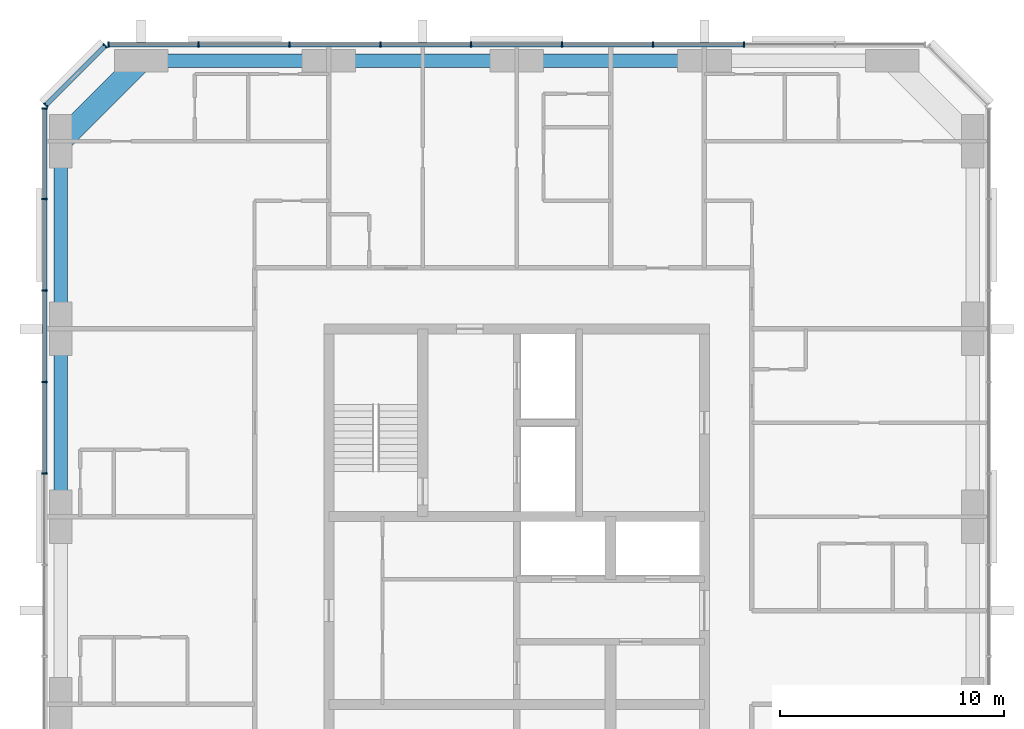
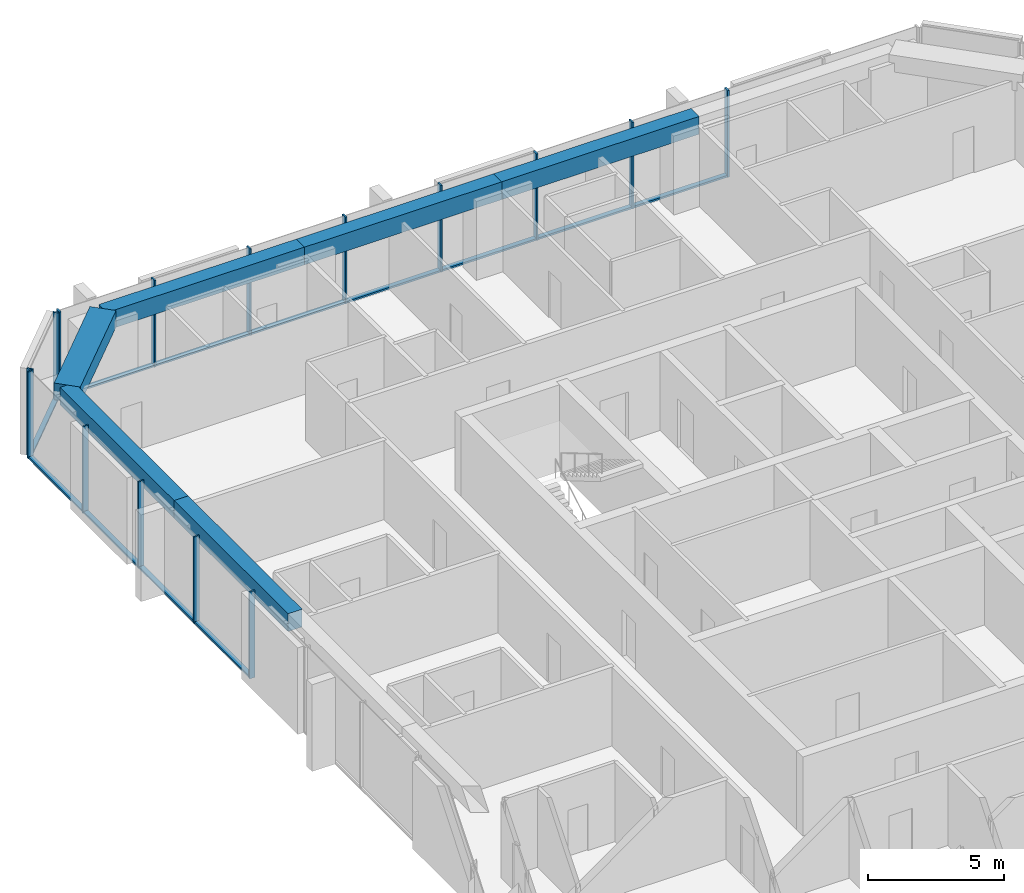
# One storey, part 4 of 12: 27 members, 6 beams, 3 elements without a shape of their own.
"""IFC4 building model written with IfcOpenShell, lengths in metres."""

from ifc_helpers import new_model, si_unit, direction, frame, origin, origin_2d, place, context, subcontext, project, spatial, rectangle, extrude, material, material_profile, profile_set, type_object, element, aggregate, save


model = new_model("IFC4")

# Units and contexts
model_context = context("Model", 3, precision=1e-05, world=origin(), true_north=direction((0.0, 1.0)))
body_context = subcontext(model_context, "Body", "Model", "MODEL_VIEW")
ifc_project = project(units=[si_unit("LENGTHUNIT", "METRE"), si_unit("AREAUNIT", "SQUARE_METRE"), si_unit("VOLUMEUNIT", "CUBIC_METRE"), si_unit("PLANEANGLEUNIT", "RADIAN"), si_unit("MASSUNIT", "GRAM", prefix="KILO")], contexts=[model_context])

# Site, building, storey
site_placement = place(None, origin())
site = spatial("IfcSite", under=ifc_project, at=site_placement, CompositionType="ELEMENT")
building_placement = place(site_placement, origin())
building = spatial("IfcBuilding", under=site, at=building_placement, Name="Dunama Terrace Hotel", CompositionType="ELEMENT")
storey_placement = place(building_placement, frame((0.0, 0.0, 241.199951171875)))
storey = spatial("IfcBuildingStorey", under=building, at=storey_placement, Name="L62", CompositionType="ELEMENT", Elevation=241.199951171875)

# Curtain wall, members
ifc_material_1 = material(Name="Aluminium curtain wall system", Category="aluminium")
curtain_wall_type = type_object("IfcCurtainWallType", Name="Unitised fritted glass wall CW-D", PredefinedType="NOTDEFINED", material=ifc_material_1)
curtain_wall_1_placement = place(storey_placement, origin())
curtain_wall_1 = element("IfcCurtainWall", 1, at=curtain_wall_1_placement, inside=storey, type_object=curtain_wall_type, Name="Unitised fritted glass wall CW-D L62", PredefinedType="NOTDEFINED")
ifc_material_2 = material(Name="Aluminium mullion", Category="aluminium")
ifc_material_profile_1 = material_profile(ifc_material_2, rectangle(XDim=0.070068359375, YDim=0.239990234375, at=origin_2d()), Name="CWD MULLION 70X240")
ifc_profile_set_1 = profile_set([ifc_material_profile_1], Name="Aluminium mullion")
member_type_1 = type_object("IfcMemberType", Name="CWD mullion 70x240", PredefinedType="MULLION", material=ifc_profile_set_1)
member_1_placement = place(storey_placement, frame((43.76708984375, 54.719970703125, 0.0), z_axis=(0.0, 0.0, 1.0), x_axis=(-1.0, 0.0, 0.0)))
member_1 = element("IfcMember", 2, at=member_1_placement, type_object=member_type_1, Name="CWD mullion", PredefinedType="MULLION", context=body_context, shape_type="SweptSolid", body=[
    extrude(rectangle(XDim=0.070068359375, YDim=0.239990234375, at=origin_2d()), origin(), (0.0, 0.0, 1.0), 3.900146484375),
])
member_2_placement = place(storey_placement, frame((39.699951171875, 54.719970703125, 0.0), z_axis=(0.0, 0.0, 1.0), x_axis=(-1.0, 0.0, 0.0)))
member_2 = element("IfcMember", 3, at=member_2_placement, type_object=member_type_1, Name="CWD mullion", PredefinedType="MULLION", context=body_context, shape_type="SweptSolid", body=[
    extrude(rectangle(XDim=0.070068359375, YDim=0.239990234375, at=origin_2d()), origin(), (0.0, 0.0, 1.0), 3.900146484375),
])
member_3_placement = place(storey_placement, frame((35.633056640625, 54.719970703125, 0.0), z_axis=(0.0, 0.0, 1.0), x_axis=(-1.0, 0.0, 0.0)))
member_3 = element("IfcMember", 4, at=member_3_placement, type_object=member_type_1, Name="CWD mullion", PredefinedType="MULLION", context=body_context, shape_type="SweptSolid", body=[
    extrude(rectangle(XDim=0.070068359375, YDim=0.239990234375, at=origin_2d()), origin(), (0.0, 0.0, 1.0), 3.900146484375),
])
member_4_placement = place(storey_placement, frame((31.56689453125, 54.719970703125, 0.0), z_axis=(0.0, 0.0, 1.0), x_axis=(-1.0, 0.0, 0.0)))
member_4 = element("IfcMember", 5, at=member_4_placement, type_object=member_type_1, Name="CWD mullion", PredefinedType="MULLION", context=body_context, shape_type="SweptSolid", body=[
    extrude(rectangle(XDim=0.070068359375, YDim=0.239990234375, at=origin_2d()), origin(), (0.0, 0.0, 1.0), 3.900146484375),
])
member_5_placement = place(storey_placement, frame((27.5, 54.719970703125, 0.0), z_axis=(0.0, 0.0, 1.0), x_axis=(-1.0, 0.0, 0.0)))
member_5 = element("IfcMember", 6, at=member_5_placement, type_object=member_type_1, Name="CWD mullion", PredefinedType="MULLION", context=body_context, shape_type="SweptSolid", body=[
    extrude(rectangle(XDim=0.070068359375, YDim=0.239990234375, at=origin_2d()), origin(), (0.0, 0.0, 1.0), 3.900146484375),
])
member_6_placement = place(storey_placement, frame((23.43310546875, 54.719970703125, 0.0), z_axis=(0.0, 0.0, 1.0), x_axis=(-1.0, 0.0, 0.0)))
member_6 = element("IfcMember", 7, at=member_6_placement, type_object=member_type_1, Name="CWD mullion", PredefinedType="MULLION", context=body_context, shape_type="SweptSolid", body=[
    extrude(rectangle(XDim=0.070068359375, YDim=0.239990234375, at=origin_2d()), origin(), (0.0, 0.0, 1.0), 3.900146484375),
])
member_7_placement = place(storey_placement, frame((19.366943359375, 54.719970703125, 0.0), z_axis=(0.0, 0.0, 1.0), x_axis=(-1.0, 0.0, 0.0)))
member_7 = element("IfcMember", 8, at=member_7_placement, type_object=member_type_1, Name="CWD mullion", PredefinedType="MULLION", context=body_context, shape_type="SweptSolid", body=[
    extrude(rectangle(XDim=0.070068359375, YDim=0.239990234375, at=origin_2d()), origin(), (0.0, 0.0, 1.0), 3.900146484375),
])
member_8_placement = place(storey_placement, frame((15.3349609375, 54.719970703125, 0.0), z_axis=(0.0, 0.0, 1.0), x_axis=(-1.0, 0.0, 0.0)))
member_8 = element("IfcMember", 9, at=member_8_placement, type_object=member_type_1, Name="CWD mullion", PredefinedType="MULLION", context=body_context, shape_type="SweptSolid", body=[
    extrude(rectangle(XDim=0.070068359375, YDim=0.239990234375, at=origin_2d()), origin(), (0.0, 0.0, 1.0), 3.900146484375),
])

curtain_wall_2_placement = place(storey_placement, origin())
curtain_wall_2 = element("IfcCurtainWall", 10, at=curtain_wall_2_placement, inside=storey, type_object=curtain_wall_type, Name="Unitised fritted glass wall CW-D L62", PredefinedType="NOTDEFINED")
member_9_placement = place(storey_placement, frame((15.18994140625, 54.659912109375, 0.0), z_axis=(0.0, 0.0, 1.0), x_axis=(-0.707106781187, -0.707106781187, 0.0)))
member_9 = element("IfcMember", 11, at=member_9_placement, type_object=member_type_1, Name="CWD mullion", PredefinedType="MULLION", context=body_context, shape_type="SweptSolid", body=[
    extrude(rectangle(XDim=0.070068359375, YDim=0.239990234375, at=origin_2d()), origin(), (0.0, 0.0, 1.0), 3.900146484375),
])
member_10_placement = place(storey_placement, frame((12.5400390625, 52.010009765625, 0.0), z_axis=(0.0, 0.0, 1.0), x_axis=(-0.707106781187, -0.707106781187, 0.0)))
member_10 = element("IfcMember", 12, at=member_10_placement, type_object=member_type_1, Name="CWD mullion", PredefinedType="MULLION", context=body_context, shape_type="SweptSolid", body=[
    extrude(rectangle(XDim=0.070068359375, YDim=0.239990234375, at=origin_2d()), origin(), (0.0, 0.0, 1.0), 3.900146484375),
])

curtain_wall_3_placement = place(storey_placement, origin())
curtain_wall_3 = element("IfcCurtainWall", 13, at=curtain_wall_3_placement, inside=storey, type_object=curtain_wall_type, Name="Unitised fritted glass wall CW-D L62", PredefinedType="NOTDEFINED")
member_11_placement = place(storey_placement, frame((12.47998046875, 51.864990234375, 0.0), z_axis=(0.0, 0.0, 1.0), x_axis=(0.0, -1.0, 0.0)))
member_11 = element("IfcMember", 14, at=member_11_placement, type_object=member_type_1, Name="CWD mullion", PredefinedType="MULLION", context=body_context, shape_type="SweptSolid", body=[
    extrude(rectangle(XDim=0.070068359375, YDim=0.239990234375, at=origin_2d()), origin(), (0.0, 0.0, 1.0), 3.900146484375),
])
member_12_placement = place(storey_placement, frame((12.47998046875, 47.80908203125, 0.0), z_axis=(0.0, 0.0, 1.0), x_axis=(0.0, -1.0, 0.0)))
member_12 = element("IfcMember", 15, at=member_12_placement, type_object=member_type_1, Name="CWD mullion", PredefinedType="MULLION", context=body_context, shape_type="SweptSolid", body=[
    extrude(rectangle(XDim=0.070068359375, YDim=0.239990234375, at=origin_2d()), origin(), (0.0, 0.0, 1.0), 3.900146484375),
])
member_13_placement = place(storey_placement, frame((12.47998046875, 43.718017578125, 0.0), z_axis=(0.0, 0.0, 1.0), x_axis=(0.0, -1.0, 0.0)))
member_13 = element("IfcMember", 16, at=member_13_placement, type_object=member_type_1, Name="CWD mullion", PredefinedType="MULLION", context=body_context, shape_type="SweptSolid", body=[
    extrude(rectangle(XDim=0.070068359375, YDim=0.239990234375, at=origin_2d()), origin(), (0.0, 0.0, 1.0), 3.900146484375),
])
member_14_placement = place(storey_placement, frame((12.47998046875, 39.626953125, 0.0), z_axis=(0.0, 0.0, 1.0), x_axis=(0.0, -1.0, 0.0)))
member_14 = element("IfcMember", 17, at=member_14_placement, type_object=member_type_1, Name="CWD mullion", PredefinedType="MULLION", context=body_context, shape_type="SweptSolid", body=[
    extrude(rectangle(XDim=0.070068359375, YDim=0.239990234375, at=origin_2d()), origin(), (0.0, 0.0, 1.0), 3.900146484375),
])
member_15_placement = place(storey_placement, frame((12.47998046875, 35.535888671875, 0.0), z_axis=(0.0, 0.0, 1.0), x_axis=(0.0, -1.0, 0.0)))
member_15 = element("IfcMember", 18, at=member_15_placement, type_object=member_type_1, Name="CWD mullion", PredefinedType="MULLION", context=body_context, shape_type="SweptSolid", body=[
    extrude(rectangle(XDim=0.070068359375, YDim=0.239990234375, at=origin_2d()), origin(), (0.0, 0.0, 1.0), 3.900146484375),
])

# Member
ifc_material_3 = material(Name="Aluminium transom", Category="aluminium")
ifc_material_profile_2 = material_profile(ifc_material_3, rectangle(XDim=0.199951171875, YDim=0.0849609375, at=origin_2d()), Name="CWD TRANSOM 200X85")
ifc_profile_set_2 = profile_set([ifc_material_profile_2], Name="Aluminium transom")
member_type_2 = type_object("IfcMemberType", Name="CWD transom 200x85", PredefinedType="USERDEFINED", material=ifc_profile_set_2)
member_16_placement = place(storey_placement, frame((43.73193359375, 54.719970703125, 0.04248046875), z_axis=(-1.0, 0.0, 0.0), x_axis=(0.0, -1.0, 0.0)))
member_16 = element("IfcMember", 19, at=member_16_placement, type_object=member_type_2, Name="CWD transom", ObjectType="TRANSOM", PredefinedType="USERDEFINED", context=body_context, shape_type="SweptSolid", body=[
    extrude(rectangle(XDim=0.199951171875, YDim=0.0849609375, at=origin_2d()), origin(), (0.0, 0.0, 1.0), 3.996826171875),
])

member_17_placement = place(storey_placement, frame((39.6650390625, 54.719970703125, 0.04248046875), z_axis=(-1.0, 0.0, 0.0), x_axis=(0.0, -1.0, 0.0)))
member_17 = element("IfcMember", 20, at=member_17_placement, type_object=member_type_2, Name="CWD transom", ObjectType="TRANSOM", PredefinedType="USERDEFINED", context=body_context, shape_type="SweptSolid", body=[
    extrude(rectangle(XDim=0.199951171875, YDim=0.0849609375, at=origin_2d()), origin(), (0.0, 0.0, 1.0), 3.9970703125),
])

member_18_placement = place(storey_placement, frame((35.597900390625, 54.719970703125, 0.04248046875), z_axis=(-1.0, 0.0, 0.0), x_axis=(0.0, -1.0, 0.0)))
member_18 = element("IfcMember", 21, at=member_18_placement, type_object=member_type_2, Name="CWD transom", ObjectType="TRANSOM", PredefinedType="USERDEFINED", context=body_context, shape_type="SweptSolid", body=[
    extrude(rectangle(XDim=0.199951171875, YDim=0.0849609375, at=origin_2d()), origin(), (0.0, 0.0, 1.0), 3.995849609375),
])

member_19_placement = place(storey_placement, frame((31.531982421875, 54.719970703125, 0.04248046875), z_axis=(-1.0, 0.0, 0.0), x_axis=(0.0, -1.0, 0.0)))
member_19 = element("IfcMember", 22, at=member_19_placement, type_object=member_type_2, Name="CWD transom", ObjectType="TRANSOM", PredefinedType="USERDEFINED", context=body_context, shape_type="SweptSolid", body=[
    extrude(rectangle(XDim=0.199951171875, YDim=0.0849609375, at=origin_2d()), origin(), (0.0, 0.0, 1.0), 3.9970703125),
])

member_20_placement = place(storey_placement, frame((27.465087890625, 54.719970703125, 0.04248046875), z_axis=(-1.0, 0.0, 0.0), x_axis=(0.0, -1.0, 0.0)))
member_20 = element("IfcMember", 23, at=member_20_placement, type_object=member_type_2, Name="CWD transom", ObjectType="TRANSOM", PredefinedType="USERDEFINED", context=body_context, shape_type="SweptSolid", body=[
    extrude(rectangle(XDim=0.199951171875, YDim=0.0849609375, at=origin_2d()), origin(), (0.0, 0.0, 1.0), 3.9970703125),
])

member_21_placement = place(storey_placement, frame((23.39794921875, 54.719970703125, 0.04248046875), z_axis=(-1.0, 0.0, 0.0), x_axis=(0.0, -1.0, 0.0)))
member_21 = element("IfcMember", 24, at=member_21_placement, type_object=member_type_2, Name="CWD transom", ObjectType="TRANSOM", PredefinedType="USERDEFINED", context=body_context, shape_type="SweptSolid", body=[
    extrude(rectangle(XDim=0.199951171875, YDim=0.0849609375, at=origin_2d()), origin(), (0.0, 0.0, 1.0), 3.995849609375),
])

member_22_placement = place(storey_placement, frame((19.33203125, 54.719970703125, 0.04248046875), z_axis=(-1.0, 0.0, 0.0), x_axis=(0.0, -1.0, 0.0)))
member_22 = element("IfcMember", 25, at=member_22_placement, type_object=member_type_2, Name="CWD transom", ObjectType="TRANSOM", PredefinedType="USERDEFINED", context=body_context, shape_type="SweptSolid", body=[
    extrude(rectangle(XDim=0.199951171875, YDim=0.0849609375, at=origin_2d()), origin(), (0.0, 0.0, 1.0), 3.9619140625),
])

aggregate(curtain_wall_1, [member_1, member_2, member_3, member_4, member_5, member_6, member_7, member_8, member_16, member_17, member_18, member_19, member_20, member_21, member_22])

member_23_placement = place(storey_placement, frame((15.166015625, 54.635009765625, 0.04248046875), z_axis=(-0.707106781187, -0.707106781187, 0.0), x_axis=(0.707106781187, -0.707106781187, 0.0)))
member_23 = element("IfcMember", 26, at=member_23_placement, type_object=member_type_2, Name="CWD transom", ObjectType="TRANSOM", PredefinedType="USERDEFINED", context=body_context, shape_type="SweptSolid", body=[
    extrude(rectangle(XDim=0.199951171875, YDim=0.0849609375, at=origin_2d()), origin(), (0.0, 0.0, 1.0), 3.678466796875),
])

aggregate(curtain_wall_2, [member_9, member_10, member_23])

member_24_placement = place(storey_placement, frame((12.47998046875, 51.830078125, 0.04248046875), z_axis=(0.0, -1.0, 0.0), x_axis=(1.0, 0.0, 0.0)))
member_24 = element("IfcMember", 27, at=member_24_placement, type_object=member_type_2, Name="CWD transom", ObjectType="TRANSOM", PredefinedType="USERDEFINED", context=body_context, shape_type="SweptSolid", body=[
    extrude(rectangle(XDim=0.199951171875, YDim=0.0849609375, at=origin_2d()), origin(), (0.0, 0.0, 1.0), 3.986083984375),
])

member_25_placement = place(storey_placement, frame((12.47998046875, 47.77392578125, 0.04248046875), z_axis=(0.0, -1.0, 0.0), x_axis=(1.0, 0.0, 0.0)))
member_25 = element("IfcMember", 28, at=member_25_placement, type_object=member_type_2, Name="CWD transom", ObjectType="TRANSOM", PredefinedType="USERDEFINED", context=body_context, shape_type="SweptSolid", body=[
    extrude(rectangle(XDim=0.199951171875, YDim=0.0849609375, at=origin_2d()), origin(), (0.0, 0.0, 1.0), 4.02099609375),
])

member_26_placement = place(storey_placement, frame((12.47998046875, 43.68310546875, 0.04248046875), z_axis=(0.0, -1.0, 0.0), x_axis=(1.0, 0.0, 0.0)))
member_26 = element("IfcMember", 29, at=member_26_placement, type_object=member_type_2, Name="CWD transom", ObjectType="TRANSOM", PredefinedType="USERDEFINED", context=body_context, shape_type="SweptSolid", body=[
    extrude(rectangle(XDim=0.199951171875, YDim=0.0849609375, at=origin_2d()), origin(), (0.0, 0.0, 1.0), 4.02099609375),
])

member_27_placement = place(storey_placement, frame((12.47998046875, 39.592041015625, 0.04248046875), z_axis=(0.0, -1.0, 0.0), x_axis=(1.0, 0.0, 0.0)))
member_27 = element("IfcMember", 30, at=member_27_placement, type_object=member_type_2, Name="CWD transom", ObjectType="TRANSOM", PredefinedType="USERDEFINED", context=body_context, shape_type="SweptSolid", body=[
    extrude(rectangle(XDim=0.199951171875, YDim=0.0849609375, at=origin_2d()), origin(), (0.0, 0.0, 1.0), 4.02099609375),
])

aggregate(curtain_wall_3, [member_11, member_12, member_13, member_14, member_15, member_24, member_25, member_26, member_27])

# Beams
ifc_material_4 = material(Name="Concrete C50/60", Category="concrete")
ifc_material_profile_3 = material_profile(ifc_material_4, rectangle(XDim=1.0, YDim=0.75, at=origin_2d()), Name="RC 1000x750")
ifc_profile_set_3 = profile_set([ifc_material_profile_3], Name="Concrete C50/60")
beam_type_1 = type_object("IfcBeamType", Name="Edge beam RC 1000x750", PredefinedType="SPANDREL", material=ifc_profile_set_3)
beam_1_placement = place(storey_placement, frame((16.800048828125, 54.0, 3.525146484375), z_axis=(-0.707106781187, -0.707106781187, 0.0), x_axis=(0.707106781187, -0.707106781187, 0.0)))
element("IfcBeam", 31, at=beam_1_placement, inside=storey, type_object=beam_type_1, Name="Corner edge beam under L63", PredefinedType="SPANDREL", context=body_context, shape_type="SweptSolid", body=[
    extrude(rectangle(XDim=1.0, YDim=0.75, at=origin_2d()), origin(), (0.0, 0.0, 1.0), 5.09130859375),
])
ifc_material_5 = material(Name="Concrete C40/50", Category="concrete")
ifc_material_profile_4 = material_profile(ifc_material_5, rectangle(XDim=0.60009765625, YDim=0.800048828125, at=origin_2d()), Name="RC 600x800")
ifc_profile_set_4 = profile_set([ifc_material_profile_4], Name="Concrete C40/50")
beam_type_2 = type_object("IfcBeamType", Name="Edge beam RC 600x800", PredefinedType="SPANDREL", material=ifc_profile_set_4)
for number, where, z_axis, x_axis, name in (
    (32, (13.199951171875, 33.60009765625, 3.5), (0.0, 1.0, 0.0), (-1.0, 0.0, 0.0), "Edge beam under L63"),
    (33, (13.199951171875, 42.0, 3.5), (0.0, 1.0, 0.0), (-1.0, 0.0, 0.0), "Edge beam under L63"),
    (34, (16.800048828125, 54.0, 3.5), (1.0, 0.0, 0.0), (0.0, 1.0, 0.0), "Edge beam under L63"),
):
    element("IfcBeam", number, at=place(storey_placement, frame(where, z_axis=z_axis, x_axis=x_axis)), inside=storey, type_object=beam_type_2, Name=name, PredefinedType="SPANDREL", context=body_context, shape_type="SweptSolid", body=[
        extrude(rectangle(XDim=0.60009765625, YDim=0.800048828125, at=origin_2d()), origin(), (0.0, 0.0, 1.0), 8.39990234375),
    ])
beam_2_placement = place(storey_placement, frame((25.199951171875, 54.0, 3.5), z_axis=(1.0, 0.0, 0.0), x_axis=(0.0, 1.0, 0.0)))
element("IfcBeam", 35, at=beam_2_placement, inside=storey, type_object=beam_type_2, Name="Edge beam under L63", PredefinedType="SPANDREL", context=body_context, shape_type="SweptSolid", body=[
    extrude(rectangle(XDim=0.60009765625, YDim=0.800048828125, at=origin_2d()), origin(), (0.0, 0.0, 1.0), 8.400146484375),
])
beam_3_placement = place(storey_placement, frame((33.60009765625, 54.0, 3.5), z_axis=(1.0, 0.0, 0.0), x_axis=(0.0, 1.0, 0.0)))
element("IfcBeam", 36, at=beam_3_placement, inside=storey, type_object=beam_type_2, Name="Edge beam under L63", PredefinedType="SPANDREL", context=body_context, shape_type="SweptSolid", body=[
    extrude(rectangle(XDim=0.60009765625, YDim=0.800048828125, at=origin_2d()), origin(), (0.0, 0.0, 1.0), 8.39990234375),
])

save(model, "model.ifc")
